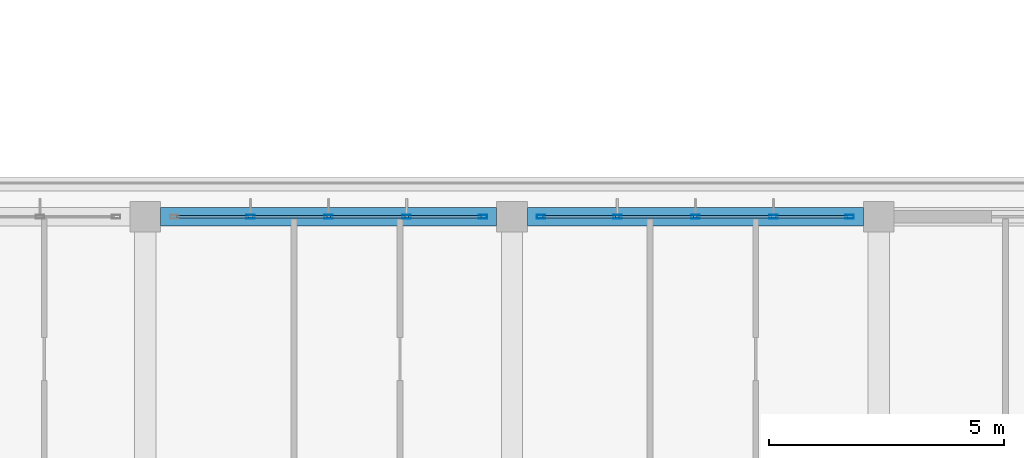
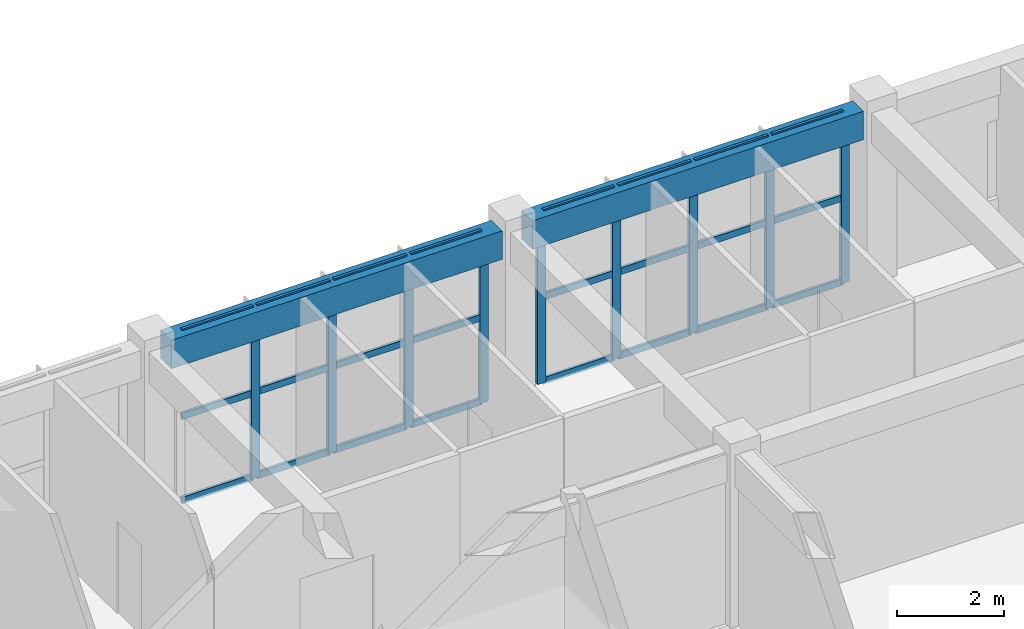
# One storey, part 26 of 63: 33 members, 2 beams, 2 elements without a shape of their own.
"""IFC4 building model written with IfcOpenShell, lengths in metres."""

import ifcopenshell
import ifcopenshell.guid

model = None  # the IFC model being written
_history = None  # IfcOwnerHistory: only IFC2X3 demands one
_inside = {}  # id of a spatial element -> (the spatial element, [elements in it])
_under = {}  # id of a project, library or spatial element -> (it, [spatial elements below it])
_declared = {}  # id of a project -> (the project, [libraries it declares])
_typed = {}  # id of a type object -> (the type object, [elements of that type])
_made_of = {}  # id of a material, layer set ... -> (it, [elements and type objects made of it])


def new_model(schema):
    """Start an empty IFC model of exactly this schema.

    Asked for "IFC4X3", IfcOpenShell would pick the latest addendum, in which some entities
    have other attributes; the version numbers below select the first issue.
    IFC2X3 requires an IfcOwnerHistory on every rooted entity: one is made here for all.
    """
    global model, _history
    if schema == "IFC4X3":
        model = ifcopenshell.file(schema_version=(4, 3, 0, 0))
    else:
        model = ifcopenshell.file(schema=schema)
    _inside.clear()
    _under.clear()
    _declared.clear()
    _typed.clear()
    _made_of.clear()
    _history = None
    if model.schema == "IFC2X3":
        org = make("IfcOrganization", Name="unknown")
        user = make(
            "IfcPersonAndOrganization",
            ThePerson=make("IfcPerson", FamilyName="unknown"),
            TheOrganization=org,
        )
        app = make(
            "IfcApplication",
            ApplicationDeveloper=org,
            Version="unknown",
            ApplicationFullName="unknown",
            ApplicationIdentifier="unknown",
        )
        _history = make(
            "IfcOwnerHistory",
            OwningUser=user,
            OwningApplication=app,
            ChangeAction="ADDED",
            CreationDate=0,
        )
    return model


def make(cls, **values):
    """One entity of the class cls with the attributes given. An attribute that is None is left unset."""
    return model.create_entity(
        cls, **{name: value for name, value in values.items() if value is not None}
    )


def rooted(cls, **values):
    """An entity with a GlobalId (a new one), such as an element, a storey or a relation."""
    return make(cls, GlobalId=ifcopenshell.guid.new(), OwnerHistory=_history, **values)


def si_unit(unit_type, name, prefix=None):
    """IfcSIUnit, for example si_unit("LENGTHUNIT", "METRE", prefix="MILLI")."""
    return make("IfcSIUnit", UnitType=unit_type, Prefix=prefix, Name=name)


def assignment(units):
    """IfcUnitAssignment: the units of a project."""
    return None if units is None else make("IfcUnitAssignment", Units=units)


def point(xyz):
    """IfcCartesianPoint."""
    return None if xyz is None else make("IfcCartesianPoint", Coordinates=xyz)


def direction(xyz):
    """IfcDirection."""
    return None if xyz is None else make("IfcDirection", DirectionRatios=xyz)


def frame(location, z_axis=None, x_axis=None):
    """IfcAxis2Placement3D, a coordinate frame: its origin and axes. An axis left out is left unset."""
    return make(
        "IfcAxis2Placement3D",
        Location=point(location),
        Axis=direction(z_axis),
        RefDirection=direction(x_axis),
    )


def frame_2d(location, x_axis=None):
    """IfcAxis2Placement2D, a coordinate frame in the plane: its origin and x axis."""
    return make(
        "IfcAxis2Placement2D", Location=point(location), RefDirection=direction(x_axis)
    )


def origin():
    """The frame at (0, 0, 0) with its axes left unset."""
    return frame((0.0, 0.0, 0.0))


def origin_2d():
    """The frame at (0, 0) in the plane with its x axis left unset."""
    return frame_2d((0.0, 0.0))


def place(relative_to, where):
    """IfcLocalPlacement: puts the frame where relative to a parent placement (None: the world)."""
    return make(
        "IfcLocalPlacement", PlacementRelTo=relative_to, RelativePlacement=where
    )


def context(
    kind, dimensions, precision=None, world=None, true_north=None, identifier=None
):
    """IfcGeometricRepresentationContext, for example the 3D "Model" context."""
    return make(
        "IfcGeometricRepresentationContext",
        ContextIdentifier=identifier,
        ContextType=kind,
        CoordinateSpaceDimension=dimensions,
        Precision=precision,
        WorldCoordinateSystem=world,
        TrueNorth=true_north,
    )


def subcontext(parent, identifier, kind, view, scale=None):
    """IfcGeometricRepresentationSubContext, for example "Body" below "Model"."""
    return make(
        "IfcGeometricRepresentationSubContext",
        ContextIdentifier=identifier,
        ContextType=kind,
        ParentContext=parent,
        TargetScale=scale,
        TargetView=view,
    )


def project(units=None, contexts=None):
    """IfcProject with its units and contexts."""
    return rooted(
        "IfcProject",
        Name="project",
        RepresentationContexts=contexts,
        UnitsInContext=assignment(units),
    )


def spatial(cls, under=None, at=None, **own):
    """A site, building, storey or space (cls), placed at a placement, below another one or the project."""
    s = rooted(cls, ObjectPlacement=at, **own)
    if under is not None:
        _under.setdefault(under.id(), (under, []))[1].append(s)
    return s


def profile(cls, at=None, kind="AREA", **sizes):
    """A parametric profile (cls). Its sizes go by their IFC names, for example OverallWidth=200.0."""
    return make(cls, ProfileType=kind, Position=at, **sizes)


def rectangle(**sizes):
    """IfcRectangleProfileDef."""
    return profile("IfcRectangleProfileDef", **sizes)


def hollow_rectangle(**sizes):
    """IfcRectangleHollowProfileDef."""
    return profile("IfcRectangleHollowProfileDef", **sizes)


def extrude(swept, where, along, depth):
    """IfcExtrudedAreaSolid: the profile swept, set in the frame where, extruded along a direction by depth."""
    return make(
        "IfcExtrudedAreaSolid",
        SweptArea=swept,
        Position=where,
        ExtrudedDirection=direction(along),
        Depth=depth,
    )


def shape(context_of_items, identifier, shape_type, items):
    """IfcShapeRepresentation: the items that make up one representation, for example the "Body"."""
    return make(
        "IfcShapeRepresentation",
        ContextOfItems=context_of_items,
        RepresentationIdentifier=identifier,
        RepresentationType=shape_type,
        Items=items,
    )


def material(Name=None, Category=None):
    """IfcMaterial."""
    return make("IfcMaterial", Name=Name, Category=Category)


def layer(
    of_material, thickness, ventilated=None, Name=None, Category=None, Priority=None
):
    """IfcMaterialLayer: one layer of a wall or slab, of a material (None: an air gap)."""
    return make(
        "IfcMaterialLayer",
        Material=of_material,
        LayerThickness=thickness,
        IsVentilated=ventilated,
        Name=Name,
        Category=Category,
        Priority=Priority,
    )


def layer_set(layers, Name=None):
    """IfcMaterialLayerSet."""
    return make("IfcMaterialLayerSet", MaterialLayers=layers, LayerSetName=Name)


def material_profile(
    of_material, cross_section, Name=None, Category=None, Priority=None
):
    """IfcMaterialProfile: a cross section and its material."""
    return make(
        "IfcMaterialProfile",
        Name=Name,
        Material=of_material,
        Profile=cross_section,
        Priority=Priority,
        Category=Category,
    )


def profile_set(profiles, Name=None, composite=None):
    """IfcMaterialProfileSet."""
    return make(
        "IfcMaterialProfileSet",
        Name=Name,
        MaterialProfiles=profiles,
        CompositeProfile=composite,
    )


def made_of(thing, what):
    """Note that an element or type object is made of a material, layer set ...; save() writes the relation."""
    if what is not None:
        _made_of.setdefault(what.id(), (what, []))[1].append(thing)
    return thing


def type_object(cls, material=None, **own):
    """A type object (cls), such as IfcWallType, which elements share."""
    return made_of(rooted(cls, **own), material)


def element(
    cls,
    number,
    at=None,
    inside=None,
    cuts=None,
    type_object=None,
    material=None,
    context=None,
    identifier="Body",
    shape_type=None,
    held_by="IfcProductDefinitionShape",
    body=None,
    shapes=None,
    **own,
):
    """One element of the class cls, such as IfcWall. Its Tag is "e" and its number.

    at: its placement. inside: the storey or other place that contains it. cuts: it is an
    opening in that element (IfcRelVoidsElement). A single representation is given by context,
    identifier, shape_type and body (its items); several are given by shapes. held_by: the class
    of the entity that holds the representations. save() writes the other relations.
    """
    e = rooted(cls, Tag="e%d" % number, ObjectPlacement=at, **own)
    if body is not None:
        shapes = [shape(context, identifier, shape_type, body)]
    if shapes is not None:
        e.Representation = make(held_by, Representations=shapes)
    if inside is not None:
        _inside.setdefault(inside.id(), (inside, []))[1].append(e)
    if cuts is not None:
        rooted(
            "IfcRelVoidsElement", RelatingBuildingElement=cuts, RelatedOpeningElement=e
        )
    if type_object is not None:
        _typed.setdefault(type_object.id(), (type_object, []))[1].append(e)
    return made_of(e, material)


def aggregate(whole, parts):
    """IfcRelAggregates: a whole, such as a stair, and the parts it consists of."""
    return rooted("IfcRelAggregates", RelatingObject=whole, RelatedObjects=parts)


def save(model, path):
    """Write the relations noted so far, then the file.

    IfcRelAggregates (storeys below a building ...), IfcRelContainedInSpatialStructure (elements
    in a storey), IfcRelDefinesByType, IfcRelAssociatesMaterial and IfcRelDeclares: one each for
    every whole, place, type object, material and project.
    """
    for whole, parts in _under.values():
        aggregate(whole, parts)
    for where, things in _inside.values():
        rooted(
            "IfcRelContainedInSpatialStructure",
            RelatedElements=things,
            RelatingStructure=where,
        )
    for kind, things in _typed.values():
        rooted("IfcRelDefinesByType", RelatedObjects=things, RelatingType=kind)
    for what, things in _made_of.values():
        rooted("IfcRelAssociatesMaterial", RelatedObjects=things, RelatingMaterial=what)
    for by, libraries in _declared.values():
        rooted("IfcRelDeclares", RelatingContext=by, RelatedDefinitions=libraries)
    model.write(path)


model = new_model("IFC4")

# Units and contexts
model_context = context("Model", 3, precision=1e-05, world=origin(), true_north=direction((0.0, 1.0)))
body_context = subcontext(model_context, "Body", "Model", "MODEL_VIEW")
ifc_project = project(units=[si_unit("LENGTHUNIT", "METRE"), si_unit("AREAUNIT", "SQUARE_METRE"), si_unit("VOLUMEUNIT", "CUBIC_METRE"), si_unit("PLANEANGLEUNIT", "RADIAN"), si_unit("MASSUNIT", "GRAM", prefix="KILO")], contexts=[model_context])

# Site, building, storey
site_placement = place(None, origin())
site = spatial("IfcSite", under=ifc_project, at=site_placement, CompositionType="ELEMENT")
building_placement = place(site_placement, origin())
building = spatial("IfcBuilding", under=site, at=building_placement, Name="Zizhar Promenade General Hospital", CompositionType="ELEMENT")
storey_placement = place(building_placement, frame((0.0, 0.0, 18.0)))
storey = spatial("IfcBuildingStorey", under=building, at=storey_placement, Name="L04", CompositionType="ELEMENT", Elevation=18.0)

# Beams
ifc_material_1 = material(Name="Concrete C35/45", Category="concrete")
ifc_material_profile_1 = material_profile(ifc_material_1, rectangle(XDim=0.39990234375, YDim=0.64990234375, at=origin_2d()))
ifc_profile_set_1 = profile_set([ifc_material_profile_1], Name="Concrete C35/45")
beam_type = type_object("IfcBeamType", Name="BM-RC-400x650", PredefinedType="BEAM", material=ifc_profile_set_1)
beam_1_placement = place(storey_placement, frame((78.324951171875, 25.199951171875, 3.5849609375), z_axis=(1.0, 0.0, 0.0), x_axis=(0.0, 1.0, 0.0)))
element("IfcBeam", 1, at=beam_1_placement, inside=storey, type_object=beam_type, Name="Grid Beam X L04 (10-3)", PredefinedType="BEAM", context=body_context, shape_type="SweptSolid", body=[
    extrude(rectangle(XDim=0.39990234375, YDim=0.64990234375, at=origin_2d()), origin(), (0.0, 0.0, 1.0), 7.150146484375),
])
beam_2_placement = place(storey_placement, frame((86.125, 25.199951171875, 3.5849609375), z_axis=(1.0, 0.0, 0.0), x_axis=(0.0, 1.0, 0.0)))
element("IfcBeam", 2, at=beam_2_placement, inside=storey, type_object=beam_type, Name="Grid Beam X L04 (11-3)", PredefinedType="BEAM", context=body_context, shape_type="SweptSolid", body=[
    extrude(rectangle(XDim=0.39990234375, YDim=0.64990234375, at=origin_2d()), origin(), (0.0, 0.0, 1.0), 7.14990234375),
])

# Curtain wall, members
ifc_material_2 = material(Name="Anodised aluminium 6063-T6 and low-E glass", Category="aluminium")
ifc_layer = layer(ifc_material_2, 0.159912109375)
ifc_layer_set = layer_set([ifc_layer], Name="Anodised aluminium 6063-T6 and low-E glass")
curtain_wall_type = type_object("IfcCurtainWallType", Name="CW-WARD-RIB", PredefinedType="NOTDEFINED", material=ifc_layer_set)
curtain_wall_1_placement = place(storey_placement, origin())
curtain_wall_1 = element("IfcCurtainWall", 3, at=curtain_wall_1_placement, inside=storey, type_object=curtain_wall_type, Name="Ward Ribbon Curtain Wall L04-8-7", PredefinedType="NOTDEFINED")
ifc_material_3 = material(Name="Anodised aluminium 6063-T6", Category="aluminium")
ifc_material_profile_2 = material_profile(ifc_material_3, hollow_rectangle(XDim=0.080078125, YDim=0.179931640625, WallThickness=0.0048828125, at=origin_2d()))
ifc_profile_set_2 = profile_set([ifc_material_profile_2], Name="Anodised aluminium 6063-T6")
member_type_1 = type_object("IfcMemberType", Name="CWM-ALU-180x80", PredefinedType="MULLION", material=ifc_profile_set_2)
member_1_placement = place(storey_placement, frame((80.239990234375, 25.199951171875, 0.0), z_axis=(0.0, 0.0, 1.0), x_axis=(0.0, 1.0, 0.0)))
member_1 = element("IfcMember", 4, at=member_1_placement, type_object=member_type_1, Name="CW-13 mullion 2", PredefinedType="MULLION", context=body_context, shape_type="SweptSolid", body=[
    extrude(hollow_rectangle(XDim=0.080078125, YDim=0.179931640625, WallThickness=0.0048828125, at=origin_2d()), origin(), (0.0, 0.0, 1.0), 3.89990234375),
])
member_2_placement = place(storey_placement, frame((81.89990234375, 25.199951171875, 0.0), z_axis=(0.0, 0.0, 1.0), x_axis=(0.0, 1.0, 0.0)))
member_2 = element("IfcMember", 5, at=member_2_placement, type_object=member_type_1, Name="CW-13 mullion 3", PredefinedType="MULLION", context=body_context, shape_type="SweptSolid", body=[
    extrude(hollow_rectangle(XDim=0.080078125, YDim=0.179931640625, WallThickness=0.0048828125, at=origin_2d()), origin(), (0.0, 0.0, 1.0), 3.89990234375),
])
member_3_placement = place(storey_placement, frame((83.56005859375, 25.199951171875, 0.0), z_axis=(0.0, 0.0, 1.0), x_axis=(0.0, 1.0, 0.0)))
member_3 = element("IfcMember", 6, at=member_3_placement, type_object=member_type_1, Name="CW-13 mullion 4", PredefinedType="MULLION", context=body_context, shape_type="SweptSolid", body=[
    extrude(hollow_rectangle(XDim=0.080078125, YDim=0.179931640625, WallThickness=0.0048828125, at=origin_2d()), origin(), (0.0, 0.0, 1.0), 3.89990234375),
])
member_4_placement = place(storey_placement, frame((85.179931640625, 25.199951171875, 0.0), z_axis=(0.0, 0.0, 1.0), x_axis=(0.0, 1.0, 0.0)))
member_4 = element("IfcMember", 7, at=member_4_placement, type_object=member_type_1, Name="CW-13 mullion 5", PredefinedType="MULLION", context=body_context, shape_type="SweptSolid", body=[
    extrude(hollow_rectangle(XDim=0.080078125, YDim=0.179931640625, WallThickness=0.0048828125, at=origin_2d()), origin(), (0.0, 0.0, 1.0), 3.89990234375),
])

curtain_wall_2_placement = place(storey_placement, origin())
curtain_wall_2 = element("IfcCurtainWall", 8, at=curtain_wall_2_placement, inside=storey, type_object=curtain_wall_type, Name="Ward Ribbon Curtain Wall L04-8-8", PredefinedType="NOTDEFINED")
member_5_placement = place(storey_placement, frame((86.419921875, 25.199951171875, 0.0), z_axis=(0.0, 0.0, 1.0), x_axis=(0.0, 1.0, 0.0)))
member_5 = element("IfcMember", 9, at=member_5_placement, type_object=member_type_1, Name="CW-13 mullion 1", PredefinedType="MULLION", context=body_context, shape_type="SweptSolid", body=[
    extrude(hollow_rectangle(XDim=0.080078125, YDim=0.179931640625, WallThickness=0.0048828125, at=origin_2d()), origin(), (0.0, 0.0, 1.0), 3.89990234375),
])
member_6_placement = place(storey_placement, frame((88.0400390625, 25.199951171875, 0.0), z_axis=(0.0, 0.0, 1.0), x_axis=(0.0, 1.0, 0.0)))
member_6 = element("IfcMember", 10, at=member_6_placement, type_object=member_type_1, Name="CW-13 mullion 2", PredefinedType="MULLION", context=body_context, shape_type="SweptSolid", body=[
    extrude(hollow_rectangle(XDim=0.080078125, YDim=0.179931640625, WallThickness=0.0048828125, at=origin_2d()), origin(), (0.0, 0.0, 1.0), 3.89990234375),
])
member_7_placement = place(storey_placement, frame((89.699951171875, 25.199951171875, 0.0), z_axis=(0.0, 0.0, 1.0), x_axis=(0.0, 1.0, 0.0)))
member_7 = element("IfcMember", 11, at=member_7_placement, type_object=member_type_1, Name="CW-13 mullion 3", PredefinedType="MULLION", context=body_context, shape_type="SweptSolid", body=[
    extrude(hollow_rectangle(XDim=0.080078125, YDim=0.179931640625, WallThickness=0.0048828125, at=origin_2d()), origin(), (0.0, 0.0, 1.0), 3.89990234375),
])
member_8_placement = place(storey_placement, frame((91.360107421875, 25.199951171875, 0.0), z_axis=(0.0, 0.0, 1.0), x_axis=(0.0, 1.0, 0.0)))
member_8 = element("IfcMember", 12, at=member_8_placement, type_object=member_type_1, Name="CW-13 mullion 4", PredefinedType="MULLION", context=body_context, shape_type="SweptSolid", body=[
    extrude(hollow_rectangle(XDim=0.080078125, YDim=0.179931640625, WallThickness=0.0048828125, at=origin_2d()), origin(), (0.0, 0.0, 1.0), 3.89990234375),
])
member_9_placement = place(storey_placement, frame((92.97998046875, 25.199951171875, 0.0), z_axis=(0.0, 0.0, 1.0), x_axis=(0.0, 1.0, 0.0)))
member_9 = element("IfcMember", 13, at=member_9_placement, type_object=member_type_1, Name="CW-13 mullion 5", PredefinedType="MULLION", context=body_context, shape_type="SweptSolid", body=[
    extrude(hollow_rectangle(XDim=0.080078125, YDim=0.179931640625, WallThickness=0.0048828125, at=origin_2d()), origin(), (0.0, 0.0, 1.0), 3.89990234375),
])

# Member
ifc_material_4 = material(Name="Anodised aluminium 6063-T6", Category="aluminium")
ifc_material_profile_3 = material_profile(ifc_material_4, hollow_rectangle(XDim=0.06005859375, YDim=0.14990234375, WallThickness=0.00390625, at=origin_2d()))
ifc_profile_set_3 = profile_set([ifc_material_profile_3], Name="Anodised aluminium 6063-T6")
member_type_2 = type_object("IfcMemberType", Name="CWT-ALU-150x60", PredefinedType="USERDEFINED", material=ifc_profile_set_3)
member_10_placement = place(storey_placement, frame((78.659912109375, 25.199951171875, 0.030029296875), z_axis=(1.0, 0.0, 0.0), x_axis=(0.0, 1.0, 0.0)))
member_10 = element("IfcMember", 14, at=member_10_placement, type_object=member_type_2, Name="CW-13 transom 1.1", ObjectType="TRANSOM", PredefinedType="USERDEFINED", context=body_context, shape_type="SweptSolid", body=[
    extrude(hollow_rectangle(XDim=0.06005859375, YDim=0.14990234375, WallThickness=0.00390625, at=origin_2d()), origin(), (0.0, 0.0, 1.0), 1.5400390625),
])

member_11_placement = place(storey_placement, frame((78.659912109375, 25.199951171875, 1.949951171875), z_axis=(1.0, 0.0, 0.0), x_axis=(0.0, 1.0, 0.0)))
member_11 = element("IfcMember", 15, at=member_11_placement, type_object=member_type_2, Name="CW-13 transom 1.2", ObjectType="TRANSOM", PredefinedType="USERDEFINED", context=body_context, shape_type="SweptSolid", body=[
    extrude(hollow_rectangle(XDim=0.06005859375, YDim=0.14990234375, WallThickness=0.00390625, at=origin_2d()), origin(), (0.0, 0.0, 1.0), 1.5400390625),
])

member_12_placement = place(storey_placement, frame((78.659912109375, 25.199951171875, 3.8701171875), z_axis=(1.0, 0.0, 0.0), x_axis=(0.0, 1.0, 0.0)))
member_12 = element("IfcMember", 16, at=member_12_placement, type_object=member_type_2, Name="CW-13 transom 1.3", ObjectType="TRANSOM", PredefinedType="USERDEFINED", context=body_context, shape_type="SweptSolid", body=[
    extrude(hollow_rectangle(XDim=0.06005859375, YDim=0.14990234375, WallThickness=0.00390625, at=origin_2d()), origin(), (0.0, 0.0, 1.0), 1.5400390625),
])

member_13_placement = place(storey_placement, frame((80.280029296875, 25.199951171875, 0.030029296875), z_axis=(1.0, 0.0, 0.0), x_axis=(0.0, 1.0, 0.0)))
member_13 = element("IfcMember", 17, at=member_13_placement, type_object=member_type_2, Name="CW-13 transom 2.1", ObjectType="TRANSOM", PredefinedType="USERDEFINED", context=body_context, shape_type="SweptSolid", body=[
    extrude(hollow_rectangle(XDim=0.06005859375, YDim=0.14990234375, WallThickness=0.00390625, at=origin_2d()), origin(), (0.0, 0.0, 1.0), 1.580078125),
])

member_14_placement = place(storey_placement, frame((80.280029296875, 25.199951171875, 1.949951171875), z_axis=(1.0, 0.0, 0.0), x_axis=(0.0, 1.0, 0.0)))
member_14 = element("IfcMember", 18, at=member_14_placement, type_object=member_type_2, Name="CW-13 transom 2.2", ObjectType="TRANSOM", PredefinedType="USERDEFINED", context=body_context, shape_type="SweptSolid", body=[
    extrude(hollow_rectangle(XDim=0.06005859375, YDim=0.14990234375, WallThickness=0.00390625, at=origin_2d()), origin(), (0.0, 0.0, 1.0), 1.580078125),
])

member_15_placement = place(storey_placement, frame((80.280029296875, 25.199951171875, 3.8701171875), z_axis=(1.0, 0.0, 0.0), x_axis=(0.0, 1.0, 0.0)))
member_15 = element("IfcMember", 19, at=member_15_placement, type_object=member_type_2, Name="CW-13 transom 2.3", ObjectType="TRANSOM", PredefinedType="USERDEFINED", context=body_context, shape_type="SweptSolid", body=[
    extrude(hollow_rectangle(XDim=0.06005859375, YDim=0.14990234375, WallThickness=0.00390625, at=origin_2d()), origin(), (0.0, 0.0, 1.0), 1.580078125),
])

member_16_placement = place(storey_placement, frame((81.93994140625, 25.199951171875, 0.030029296875), z_axis=(1.0, 0.0, 0.0), x_axis=(0.0, 1.0, 0.0)))
member_16 = element("IfcMember", 20, at=member_16_placement, type_object=member_type_2, Name="CW-13 transom 3.1", ObjectType="TRANSOM", PredefinedType="USERDEFINED", context=body_context, shape_type="SweptSolid", body=[
    extrude(hollow_rectangle(XDim=0.06005859375, YDim=0.14990234375, WallThickness=0.00390625, at=origin_2d()), origin(), (0.0, 0.0, 1.0), 1.580078125),
])

member_17_placement = place(storey_placement, frame((81.93994140625, 25.199951171875, 1.949951171875), z_axis=(1.0, 0.0, 0.0), x_axis=(0.0, 1.0, 0.0)))
member_17 = element("IfcMember", 21, at=member_17_placement, type_object=member_type_2, Name="CW-13 transom 3.2", ObjectType="TRANSOM", PredefinedType="USERDEFINED", context=body_context, shape_type="SweptSolid", body=[
    extrude(hollow_rectangle(XDim=0.06005859375, YDim=0.14990234375, WallThickness=0.00390625, at=origin_2d()), origin(), (0.0, 0.0, 1.0), 1.580078125),
])

member_18_placement = place(storey_placement, frame((81.93994140625, 25.199951171875, 3.8701171875), z_axis=(1.0, 0.0, 0.0), x_axis=(0.0, 1.0, 0.0)))
member_18 = element("IfcMember", 22, at=member_18_placement, type_object=member_type_2, Name="CW-13 transom 3.3", ObjectType="TRANSOM", PredefinedType="USERDEFINED", context=body_context, shape_type="SweptSolid", body=[
    extrude(hollow_rectangle(XDim=0.06005859375, YDim=0.14990234375, WallThickness=0.00390625, at=origin_2d()), origin(), (0.0, 0.0, 1.0), 1.580078125),
])

member_19_placement = place(storey_placement, frame((83.60009765625, 25.199951171875, 0.030029296875), z_axis=(1.0, 0.0, 0.0), x_axis=(0.0, 1.0, 0.0)))
member_19 = element("IfcMember", 23, at=member_19_placement, type_object=member_type_2, Name="CW-13 transom 4.1", ObjectType="TRANSOM", PredefinedType="USERDEFINED", context=body_context, shape_type="SweptSolid", body=[
    extrude(hollow_rectangle(XDim=0.06005859375, YDim=0.14990234375, WallThickness=0.00390625, at=origin_2d()), origin(), (0.0, 0.0, 1.0), 1.539794921875),
])

member_20_placement = place(storey_placement, frame((83.60009765625, 25.199951171875, 1.949951171875), z_axis=(1.0, 0.0, 0.0), x_axis=(0.0, 1.0, 0.0)))
member_20 = element("IfcMember", 24, at=member_20_placement, type_object=member_type_2, Name="CW-13 transom 4.2", ObjectType="TRANSOM", PredefinedType="USERDEFINED", context=body_context, shape_type="SweptSolid", body=[
    extrude(hollow_rectangle(XDim=0.06005859375, YDim=0.14990234375, WallThickness=0.00390625, at=origin_2d()), origin(), (0.0, 0.0, 1.0), 1.539794921875),
])

member_21_placement = place(storey_placement, frame((83.60009765625, 25.199951171875, 3.8701171875), z_axis=(1.0, 0.0, 0.0), x_axis=(0.0, 1.0, 0.0)))
member_21 = element("IfcMember", 25, at=member_21_placement, type_object=member_type_2, Name="CW-13 transom 4.3", ObjectType="TRANSOM", PredefinedType="USERDEFINED", context=body_context, shape_type="SweptSolid", body=[
    extrude(hollow_rectangle(XDim=0.06005859375, YDim=0.14990234375, WallThickness=0.00390625, at=origin_2d()), origin(), (0.0, 0.0, 1.0), 1.539794921875),
])

aggregate(curtain_wall_1, [member_1, member_2, member_3, member_4, member_10, member_11, member_12, member_13, member_14, member_15, member_16, member_17, member_18, member_19, member_20, member_21])

member_22_placement = place(storey_placement, frame((86.4599609375, 25.199951171875, 0.030029296875), z_axis=(1.0, 0.0, 0.0), x_axis=(0.0, 1.0, 0.0)))
member_22 = element("IfcMember", 26, at=member_22_placement, type_object=member_type_2, Name="CW-13 transom 1.1", ObjectType="TRANSOM", PredefinedType="USERDEFINED", context=body_context, shape_type="SweptSolid", body=[
    extrude(hollow_rectangle(XDim=0.06005859375, YDim=0.14990234375, WallThickness=0.00390625, at=origin_2d()), origin(), (0.0, 0.0, 1.0), 1.5400390625),
])

member_23_placement = place(storey_placement, frame((86.4599609375, 25.199951171875, 1.949951171875), z_axis=(1.0, 0.0, 0.0), x_axis=(0.0, 1.0, 0.0)))
member_23 = element("IfcMember", 27, at=member_23_placement, type_object=member_type_2, Name="CW-13 transom 1.2", ObjectType="TRANSOM", PredefinedType="USERDEFINED", context=body_context, shape_type="SweptSolid", body=[
    extrude(hollow_rectangle(XDim=0.06005859375, YDim=0.14990234375, WallThickness=0.00390625, at=origin_2d()), origin(), (0.0, 0.0, 1.0), 1.5400390625),
])

member_24_placement = place(storey_placement, frame((86.4599609375, 25.199951171875, 3.8701171875), z_axis=(1.0, 0.0, 0.0), x_axis=(0.0, 1.0, 0.0)))
member_24 = element("IfcMember", 28, at=member_24_placement, type_object=member_type_2, Name="CW-13 transom 1.3", ObjectType="TRANSOM", PredefinedType="USERDEFINED", context=body_context, shape_type="SweptSolid", body=[
    extrude(hollow_rectangle(XDim=0.06005859375, YDim=0.14990234375, WallThickness=0.00390625, at=origin_2d()), origin(), (0.0, 0.0, 1.0), 1.5400390625),
])

member_25_placement = place(storey_placement, frame((88.080078125, 25.199951171875, 0.030029296875), z_axis=(1.0, 0.0, 0.0), x_axis=(0.0, 1.0, 0.0)))
member_25 = element("IfcMember", 29, at=member_25_placement, type_object=member_type_2, Name="CW-13 transom 2.1", ObjectType="TRANSOM", PredefinedType="USERDEFINED", context=body_context, shape_type="SweptSolid", body=[
    extrude(hollow_rectangle(XDim=0.06005859375, YDim=0.14990234375, WallThickness=0.00390625, at=origin_2d()), origin(), (0.0, 0.0, 1.0), 1.579833984375),
])

member_26_placement = place(storey_placement, frame((88.080078125, 25.199951171875, 1.949951171875), z_axis=(1.0, 0.0, 0.0), x_axis=(0.0, 1.0, 0.0)))
member_26 = element("IfcMember", 30, at=member_26_placement, type_object=member_type_2, Name="CW-13 transom 2.2", ObjectType="TRANSOM", PredefinedType="USERDEFINED", context=body_context, shape_type="SweptSolid", body=[
    extrude(hollow_rectangle(XDim=0.06005859375, YDim=0.14990234375, WallThickness=0.00390625, at=origin_2d()), origin(), (0.0, 0.0, 1.0), 1.579833984375),
])

member_27_placement = place(storey_placement, frame((88.080078125, 25.199951171875, 3.8701171875), z_axis=(1.0, 0.0, 0.0), x_axis=(0.0, 1.0, 0.0)))
member_27 = element("IfcMember", 31, at=member_27_placement, type_object=member_type_2, Name="CW-13 transom 2.3", ObjectType="TRANSOM", PredefinedType="USERDEFINED", context=body_context, shape_type="SweptSolid", body=[
    extrude(hollow_rectangle(XDim=0.06005859375, YDim=0.14990234375, WallThickness=0.00390625, at=origin_2d()), origin(), (0.0, 0.0, 1.0), 1.579833984375),
])

member_28_placement = place(storey_placement, frame((89.739990234375, 25.199951171875, 0.030029296875), z_axis=(1.0, 0.0, 0.0), x_axis=(0.0, 1.0, 0.0)))
member_28 = element("IfcMember", 32, at=member_28_placement, type_object=member_type_2, Name="CW-13 transom 3.1", ObjectType="TRANSOM", PredefinedType="USERDEFINED", context=body_context, shape_type="SweptSolid", body=[
    extrude(hollow_rectangle(XDim=0.06005859375, YDim=0.14990234375, WallThickness=0.00390625, at=origin_2d()), origin(), (0.0, 0.0, 1.0), 1.580078125),
])

member_29_placement = place(storey_placement, frame((89.739990234375, 25.199951171875, 1.949951171875), z_axis=(1.0, 0.0, 0.0), x_axis=(0.0, 1.0, 0.0)))
member_29 = element("IfcMember", 33, at=member_29_placement, type_object=member_type_2, Name="CW-13 transom 3.2", ObjectType="TRANSOM", PredefinedType="USERDEFINED", context=body_context, shape_type="SweptSolid", body=[
    extrude(hollow_rectangle(XDim=0.06005859375, YDim=0.14990234375, WallThickness=0.00390625, at=origin_2d()), origin(), (0.0, 0.0, 1.0), 1.580078125),
])

member_30_placement = place(storey_placement, frame((89.739990234375, 25.199951171875, 3.8701171875), z_axis=(1.0, 0.0, 0.0), x_axis=(0.0, 1.0, 0.0)))
member_30 = element("IfcMember", 34, at=member_30_placement, type_object=member_type_2, Name="CW-13 transom 3.3", ObjectType="TRANSOM", PredefinedType="USERDEFINED", context=body_context, shape_type="SweptSolid", body=[
    extrude(hollow_rectangle(XDim=0.06005859375, YDim=0.14990234375, WallThickness=0.00390625, at=origin_2d()), origin(), (0.0, 0.0, 1.0), 1.580078125),
])

member_31_placement = place(storey_placement, frame((91.39990234375, 25.199951171875, 0.030029296875), z_axis=(1.0, 0.0, 0.0), x_axis=(0.0, 1.0, 0.0)))
member_31 = element("IfcMember", 35, at=member_31_placement, type_object=member_type_2, Name="CW-13 transom 4.1", ObjectType="TRANSOM", PredefinedType="USERDEFINED", context=body_context, shape_type="SweptSolid", body=[
    extrude(hollow_rectangle(XDim=0.06005859375, YDim=0.14990234375, WallThickness=0.00390625, at=origin_2d()), origin(), (0.0, 0.0, 1.0), 1.5400390625),
])

member_32_placement = place(storey_placement, frame((91.39990234375, 25.199951171875, 1.949951171875), z_axis=(1.0, 0.0, 0.0), x_axis=(0.0, 1.0, 0.0)))
member_32 = element("IfcMember", 36, at=member_32_placement, type_object=member_type_2, Name="CW-13 transom 4.2", ObjectType="TRANSOM", PredefinedType="USERDEFINED", context=body_context, shape_type="SweptSolid", body=[
    extrude(hollow_rectangle(XDim=0.06005859375, YDim=0.14990234375, WallThickness=0.00390625, at=origin_2d()), origin(), (0.0, 0.0, 1.0), 1.5400390625),
])

member_33_placement = place(storey_placement, frame((91.39990234375, 25.199951171875, 3.8701171875), z_axis=(1.0, 0.0, 0.0), x_axis=(0.0, 1.0, 0.0)))
member_33 = element("IfcMember", 37, at=member_33_placement, type_object=member_type_2, Name="CW-13 transom 4.3", ObjectType="TRANSOM", PredefinedType="USERDEFINED", context=body_context, shape_type="SweptSolid", body=[
    extrude(hollow_rectangle(XDim=0.06005859375, YDim=0.14990234375, WallThickness=0.00390625, at=origin_2d()), origin(), (0.0, 0.0, 1.0), 1.5400390625),
])

aggregate(curtain_wall_2, [member_5, member_6, member_7, member_8, member_9, member_22, member_23, member_24, member_25, member_26, member_27, member_28, member_29, member_30, member_31, member_32, member_33])

save(model, "model.ifc")
